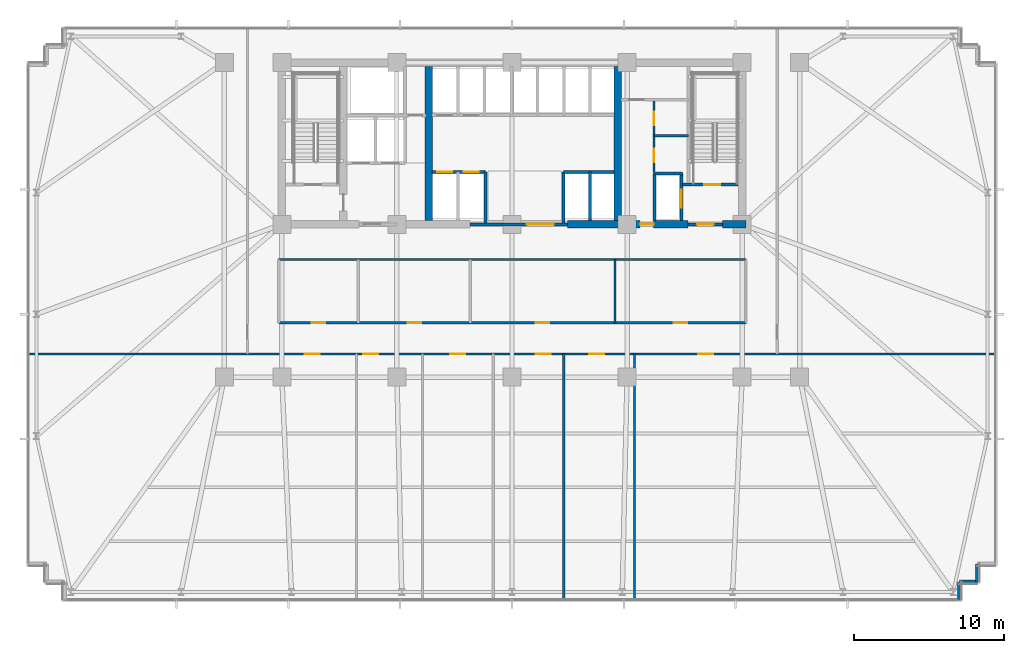
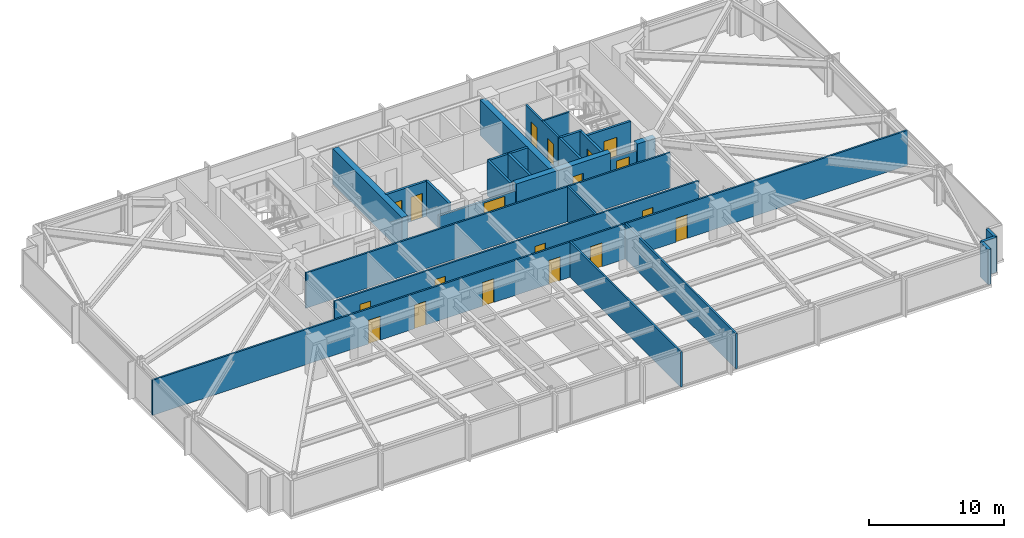
# One storey, part 25 of 33: 26 walls, 19 doors, 19 openings.
"""IFC4 building model written with IfcOpenShell, lengths in metres."""

from ifc_helpers import new_model, si_unit, direction, frame, frame_2d, origin, place, context, subcontext, project, spatial, rectangle, extrude, material, layer, layer_set, type_object, element, fill, save


model = new_model("IFC4")

# Units and contexts
model_context = context("Model", 3, precision=1e-05, world=origin(), true_north=direction((0.0, 1.0)))
body_context = subcontext(model_context, "Body", "Model", "MODEL_VIEW")
ifc_project = project(units=[si_unit("LENGTHUNIT", "METRE"), si_unit("AREAUNIT", "SQUARE_METRE"), si_unit("VOLUMEUNIT", "CUBIC_METRE"), si_unit("PLANEANGLEUNIT", "RADIAN"), si_unit("MASSUNIT", "GRAM", prefix="KILO")], contexts=[model_context])

# Site, building, storey
site_placement = place(None, origin())
site = spatial("IfcSite", under=ifc_project, at=site_placement, CompositionType="ELEMENT")
building_placement = place(site_placement, origin())
building = spatial("IfcBuilding", under=site, at=building_placement, Name="Yelkora Congress Tower", CompositionType="ELEMENT")
storey_placement = place(building_placement, frame((0.0, 0.0, 54.199951171875)))
storey = spatial("IfcBuildingStorey", under=building, at=storey_placement, Name="L13", CompositionType="ELEMENT", Elevation=54.199951171875)

# Wall, opening, door
ifc_material_1 = material(Name="Concrete C60/75", Category="concrete")
ifc_layer_1 = layer(ifc_material_1, 0.5)
ifc_layer_set_1 = layer_set([ifc_layer_1], Name="Concrete C60/75")
wall_type_1 = type_object("IfcWallType", Name="WALL-CORE-INT-500", PredefinedType="SHEAR", material=ifc_layer_set_1)
wall_1_placement = place(storey_placement, frame((42.10009765625, 35.39990234375, 0.0), z_axis=(0.0, 0.0, 1.0), x_axis=(1.0, 0.0, 0.0)))
wall_1 = element("IfcWall", 1, at=wall_1_placement, inside=storey, type_object=wall_type_1, Name="L13 Rear Core South-East Shear Wall A", PredefinedType="SHEAR", context=body_context, shape_type="SweptSolid", body=[
    extrude(rectangle(XDim=8.0498046875, YDim=0.5, at=frame_2d((4.02490234375, 0.0))), origin(), (0.0, 0.0, 1.0), 3.179931640625),
])
opening_1_placement = place(wall_1_placement, frame((4.85009765625, 0.0, 0.0)))
opening_1 = element("IfcOpeningElement", 2, at=opening_1_placement, cuts=wall_1, Name="Opening DR-090F6", PredefinedType="OPENING", context=body_context, shape_type="SweptSolid", body=[
    extrude(rectangle(XDim=0.89990234375, YDim=2.14990234375, at=frame_2d((0.449951171875, 1.074951171875))), frame((0.0, 0.260009765625, 0.0), z_axis=(0.0, -1.0, 0.0), x_axis=(1.0, 0.0, 0.0)), (0.0, 0.0, 1.0), 0.52001953125),
])
ifc_material_2 = material(Name="Painted steel riser fire door leaf", Category="steel")
door_type_1 = type_object("IfcDoorType", Name="DOOR-FD60-900", OperationType="NOTDEFINED", PredefinedType="DOOR", material=ifc_material_2)
door_1_placement = place(opening_1_placement, origin())
door_1 = element("IfcDoor", 3, at=door_1_placement, inside=storey, type_object=door_type_1, Name="L13 Core Washroom Lobby Door", OperationType="SINGLE_SWING_RIGHT", OverallHeight=2.14990234375, OverallWidth=0.89990234375, PredefinedType="DOOR", context=body_context, shape_type="SweptSolid", body=[
    extrude(rectangle(XDim=0.89990234375, YDim=2.14990234375, at=frame_2d((0.449951171875, 1.074951171875))), frame((0.0, 0.02490234375, 0.0), z_axis=(0.0, -1.0, 0.0), x_axis=(1.0, 0.0, 0.0)), (0.0, 0.0, 1.0), 0.050048828125),
])
fill(opening_1, door_1)

# Walls
wall_2_placement = place(storey_placement, frame((52.449951171875, 35.39990234375, 0.0), z_axis=(0.0, 0.0, 1.0), x_axis=(1.0, 0.0, 0.0)))
element("IfcWall", 4, at=wall_2_placement, inside=storey, type_object=wall_type_1, Name="L13 Rear Core South-East Shear Wall B", PredefinedType="SHEAR", context=body_context, shape_type="SweptSolid", body=[
    extrude(rectangle(XDim=1.56005859375, YDim=0.5, at=frame_2d((0.780029296875, 0.0))), origin(), (0.0, 0.0, 1.0), 3.179931640625),
])
for number, where, z_axis, x_axis, name in (
    (5, (32.85009765625, 35.64990234375, 0.0), (0.0, 0.0, 1.0), (0.0, 1.0, 0.0), "L13 Rear Core Cross Shear Wall C2"),
    (6, (45.449951171875, 35.64990234375, 0.0), (0.0, 0.0, 1.0), (0.0, 1.0, 0.0), "L13 Rear Core Cross Shear Wall C3"),
):
    element("IfcWall", number, at=place(storey_placement, frame(where, z_axis=z_axis, x_axis=x_axis)), inside=storey, type_object=wall_type_1, Name=name, PredefinedType="SHEAR", context=body_context, shape_type="SweptSolid", body=[
        extrude(rectangle(XDim=10.300048828125, YDim=0.5, at=frame_2d((5.14990234375, 0.0))), origin(), (0.0, 0.0, 1.0), 3.179931640625),
    ])
ifc_material_3 = material(Name="Concrete C40/50", Category="concrete")
ifc_layer_2 = layer(ifc_material_3, 0.239990234375)
ifc_layer_set_2 = layer_set([ifc_layer_2], Name="Concrete C40/50")
wall_type_2 = type_object("IfcWallType", Name="WALL-EXT-LIMESTONE-240", PredefinedType="SOLIDWALL", material=ifc_layer_set_2)
for number, where, z_axis, x_axis, name in (
    (7, (69.4599609375, 12.739990234375, 0.0), (0.0, 0.0, 1.0), (0.0, -1.0, 0.0), "L13 Serrated Corner Limestone Pier 17"),
    (8, (69.4599609375, 11.5400390625, 0.0), (0.0, 0.0, 1.0), (-1.0, 0.0, 0.0), "L13 Serrated Corner Limestone Pier 18"),
    (9, (68.260009765625, 11.5400390625, 0.0), (0.0, 0.0, 1.0), (0.0, -1.0, 0.0), "L13 Serrated Corner Limestone Pier 19"),
):
    element("IfcWall", number, at=place(storey_placement, frame(where, z_axis=z_axis, x_axis=x_axis)), inside=storey, type_object=wall_type_2, Name=name, PredefinedType="SOLIDWALL", context=body_context, shape_type="SweptSolid", body=[
        extrude(rectangle(XDim=1.199951171875, YDim=0.239990234375, at=frame_2d((0.60009765625, 0.0))), origin(), (0.0, 0.0, 1.0), 3.179931640625),
    ])
ifc_material_4 = material(Name="Acoustic metal-stud gypsum partition", Category="gypsum")
ifc_layer_3 = layer(ifc_material_4, 0.14990234375)
ifc_layer_set_3 = layer_set([ifc_layer_3], Name="Acoustic metal-stud gypsum partition")
wall_type_3 = type_object("IfcWallType", Name="WALL-INT-150-NR", PredefinedType="PARTITIONING", material=ifc_layer_set_3)
wall_3_placement = place(storey_placement, frame((47.8798828125, 41.320068359375, 0.0), z_axis=(0.0, 0.0, 1.0), x_axis=(1.0, 0.0, 0.0)))
element("IfcWall", 10, at=wall_3_placement, inside=storey, type_object=wall_type_3, Name="L13 Partition Wall 29", PredefinedType="PARTITIONING", context=body_context, shape_type="SweptSolid", body=[
    extrude(rectangle(XDim=2.300048828125, YDim=0.14990234375, at=frame_2d((1.14990234375, 0.0))), origin(), (0.0, 0.0, 1.0), 3.179931640625),
])

# Wall, openings, doors
wall_4_placement = place(storey_placement, frame((47.8798828125, 38.85009765625, 0.0), z_axis=(0.0, 0.0, 1.0), x_axis=(0.0, 1.0, 0.0)))
wall_4 = element("IfcWall", 11, at=wall_4_placement, inside=storey, type_object=wall_type_3, Name="L13 Partition Wall 30", PredefinedType="PARTITIONING", context=body_context, shape_type="SweptSolid", body=[
    extrude(rectangle(XDim=4.869873046875, YDim=0.14990234375, at=frame_2d((2.43505859375, 0.0))), origin(), (0.0, 0.0, 1.0), 3.179931640625),
])
opening_2_placement = place(wall_4_placement, frame((0.699951171875, 0.0, 0.0)))
opening_2 = element("IfcOpeningElement", 12, at=opening_2_placement, cuts=wall_4, Name="Opening DR-090N", PredefinedType="OPENING", context=body_context, shape_type="SweptSolid", body=[
    extrude(rectangle(XDim=0.89990234375, YDim=2.14990234375, at=frame_2d((0.449951171875, 1.074951171875))), frame((0.0, 0.0849609375, 0.0), z_axis=(0.0, -1.0, 0.0), x_axis=(1.0, 0.0, 0.0)), (0.0, 0.0, 1.0), 0.169921875),
])
opening_3_placement = place(wall_4_placement, frame((3.14990234375, 0.0, 0.0)))
opening_3 = element("IfcOpeningElement", 13, at=opening_3_placement, cuts=wall_4, Name="Opening DR-090N", PredefinedType="OPENING", context=body_context, shape_type="SweptSolid", body=[
    extrude(rectangle(XDim=0.89990234375, YDim=2.14990234375, at=frame_2d((0.449951171875, 1.074951171875))), frame((0.0, 0.0849609375, 0.0), z_axis=(0.0, -1.0, 0.0), x_axis=(1.0, 0.0, 0.0)), (0.0, 0.0, 1.0), 0.169921875),
])
ifc_material_5 = material(Name="Moisture-resistant laminate door leaf", Category="wood")
door_type_2 = type_object("IfcDoorType", Name="DOOR-INT-900", OperationType="NOTDEFINED", PredefinedType="DOOR", material=ifc_material_5)
door_2_placement = place(opening_2_placement, origin())
door_2 = element("IfcDoor", 14, at=door_2_placement, inside=storey, type_object=door_type_2, Name="L13 Male WC Door", OperationType="SINGLE_SWING_LEFT", OverallHeight=2.14990234375, OverallWidth=0.89990234375, PredefinedType="DOOR", context=body_context, shape_type="SweptSolid", body=[
    extrude(rectangle(XDim=0.89990234375, YDim=2.14990234375, at=frame_2d((0.449951171875, 1.074951171875))), frame((0.0, 0.02490234375, 0.0), z_axis=(0.0, -1.0, 0.0), x_axis=(1.0, 0.0, 0.0)), (0.0, 0.0, 1.0), 0.050048828125),
])
fill(opening_2, door_2)
door_3_placement = place(opening_3_placement, origin())
door_3 = element("IfcDoor", 15, at=door_3_placement, inside=storey, type_object=door_type_2, Name="L13 Female WC Door", OperationType="SINGLE_SWING_RIGHT", OverallHeight=2.14990234375, OverallWidth=0.89990234375, PredefinedType="DOOR", context=body_context, shape_type="SweptSolid", body=[
    extrude(rectangle(XDim=0.89990234375, YDim=2.14990234375, at=frame_2d((0.449951171875, 1.074951171875))), frame((0.0, 0.02490234375, 0.0), z_axis=(0.0, -1.0, 0.0), x_axis=(1.0, 0.0, 0.0)), (0.0, 0.0, 1.0), 0.050048828125),
])
fill(opening_3, door_3)

# Walls
for number, where, z_axis, x_axis, name in (
    (16, (41.862060546875, 10.280029296875, 0.0), (0.0, 0.0, 1.0), (0.0, 1.0, 0.0), "L13 Partition Wall 34"),
    (17, (46.580078125, 10.280029296875, 0.0), (0.0, 0.0, 1.0), (0.0, 1.0, 0.0), "L13 Partition Wall 35"),
):
    element("IfcWall", number, at=place(storey_placement, frame(where, z_axis=z_axis, x_axis=x_axis)), inside=storey, type_object=wall_type_3, Name=name, PredefinedType="PARTITIONING", context=body_context, shape_type="SweptSolid", body=[
        extrude(rectangle(XDim=16.489990234375, YDim=0.14990234375, at=frame_2d((8.2451171875, 0.0))), origin(), (0.0, 0.0, 1.0), 3.179931640625),
    ])

# Wall, openings, doors
wall_5_placement = place(storey_placement, frame((6.080078125, 26.75, 0.0), z_axis=(0.0, 0.0, 1.0), x_axis=(1.0, 0.0, 0.0)))
wall_5 = element("IfcWall", 18, at=wall_5_placement, inside=storey, type_object=wall_type_3, Name="L13 South Spine Wall", PredefinedType="PARTITIONING", context=body_context, shape_type="SweptSolid", body=[
    extrude(rectangle(XDim=64.639892578125, YDim=0.14990234375, at=frame_2d((32.31982421875, 0.0))), origin(), (0.0, 0.0, 1.0), 3.179931640625),
])
opening_4_placement = place(wall_5_placement, frame((18.478759765625, 0.0, 0.0)))
opening_4 = element("IfcOpeningElement", 19, at=opening_4_placement, cuts=wall_5, Name="Opening DR-100N", PredefinedType="OPENING", context=body_context, shape_type="SweptSolid", body=[
    extrude(rectangle(XDim=1.0, YDim=2.14990234375, at=frame_2d((0.5, 1.074951171875))), frame((0.0, 0.0849609375, 0.0), z_axis=(0.0, -1.0, 0.0), x_axis=(1.0, 0.0, 0.0)), (0.0, 0.0, 1.0), 0.169921875),
])
opening_5_placement = place(wall_5_placement, frame((22.39404296875, 0.0, 0.0)))
opening_5 = element("IfcOpeningElement", 20, at=opening_5_placement, cuts=wall_5, Name="Opening DR-100N", PredefinedType="OPENING", context=body_context, shape_type="SweptSolid", body=[
    extrude(rectangle(XDim=1.0, YDim=2.14990234375, at=frame_2d((0.5, 1.074951171875))), frame((0.0, 0.0849609375, 0.0), z_axis=(0.0, -1.0, 0.0), x_axis=(1.0, 0.0, 0.0)), (0.0, 0.0, 1.0), 0.169921875),
])
opening_6_placement = place(wall_5_placement, frame((28.2060546875, 0.0, 0.0)))
opening_6 = element("IfcOpeningElement", 21, at=opening_6_placement, cuts=wall_5, Name="Opening DR-100N", PredefinedType="OPENING", context=body_context, shape_type="SweptSolid", body=[
    extrude(rectangle(XDim=1.0, YDim=2.14990234375, at=frame_2d((0.5, 1.074951171875))), frame((0.0, 0.0849609375, 0.0), z_axis=(0.0, -1.0, 0.0), x_axis=(1.0, 0.0, 0.0)), (0.0, 0.0, 1.0), 0.169921875),
])
opening_7_placement = place(wall_5_placement, frame((33.891845703125, 0.0, 0.0)))
opening_7 = element("IfcOpeningElement", 22, at=opening_7_placement, cuts=wall_5, Name="Opening DR-100N", PredefinedType="OPENING", context=body_context, shape_type="SweptSolid", body=[
    extrude(rectangle(XDim=1.0, YDim=2.14990234375, at=frame_2d((0.5, 1.074951171875))), frame((0.0, 0.0849609375, 0.0), z_axis=(0.0, -1.0, 0.0), x_axis=(1.0, 0.0, 0.0)), (0.0, 0.0, 1.0), 0.169921875),
])
opening_8_placement = place(wall_5_placement, frame((37.46484375, 0.0, 0.0)))
opening_8 = element("IfcOpeningElement", 23, at=opening_8_placement, cuts=wall_5, Name="Opening DR-100N", PredefinedType="OPENING", context=body_context, shape_type="SweptSolid", body=[
    extrude(rectangle(XDim=1.0, YDim=2.14990234375, at=frame_2d((0.5, 1.074951171875))), frame((0.0, 0.0849609375, 0.0), z_axis=(0.0, -1.0, 0.0), x_axis=(1.0, 0.0, 0.0)), (0.0, 0.0, 1.0), 0.169921875),
])
opening_9_placement = place(wall_5_placement, frame((44.760009765625, 0.0, 0.0)))
opening_9 = element("IfcOpeningElement", 24, at=opening_9_placement, cuts=wall_5, Name="Opening DR-100N", PredefinedType="OPENING", context=body_context, shape_type="SweptSolid", body=[
    extrude(rectangle(XDim=1.0, YDim=2.14990234375, at=frame_2d((0.5, 1.074951171875))), frame((0.0, 0.0849609375, 0.0), z_axis=(0.0, -1.0, 0.0), x_axis=(1.0, 0.0, 0.0)), (0.0, 0.0, 1.0), 0.169921875),
])
ifc_material_6 = material(Name="Solid-core Anatolian oak veneer door", Category="wood")
door_type_3 = type_object("IfcDoorType", Name="DOOR-INT-1000", OperationType="NOTDEFINED", PredefinedType="DOOR", material=ifc_material_6)
door_4_placement = place(opening_4_placement, origin())
door_4 = element("IfcDoor", 25, at=door_4_placement, inside=storey, type_object=door_type_3, Name="L13 Catering Kitchenette Door", OperationType="SINGLE_SWING_LEFT", OverallHeight=2.14990234375, OverallWidth=1.0, PredefinedType="DOOR", context=body_context, shape_type="SweptSolid", body=[
    extrude(rectangle(XDim=1.0, YDim=2.14990234375, at=frame_2d((0.5, 1.074951171875))), frame((0.0, 0.02490234375, 0.0), z_axis=(0.0, -1.0, 0.0), x_axis=(1.0, 0.0, 0.0)), (0.0, 0.0, 1.0), 0.050048828125),
])
fill(opening_4, door_4)
door_5_placement = place(opening_5_placement, origin())
door_5 = element("IfcDoor", 26, at=door_5_placement, inside=storey, type_object=door_type_3, Name="L13 Catering Kitchenette Door", OperationType="SINGLE_SWING_RIGHT", OverallHeight=2.14990234375, OverallWidth=1.0, PredefinedType="DOOR", context=body_context, shape_type="SweptSolid", body=[
    extrude(rectangle(XDim=1.0, YDim=2.14990234375, at=frame_2d((0.5, 1.074951171875))), frame((0.0, 0.02490234375, 0.0), z_axis=(0.0, -1.0, 0.0), x_axis=(1.0, 0.0, 0.0)), (0.0, 0.0, 1.0), 0.050048828125),
])
fill(opening_5, door_5)
door_6_placement = place(opening_6_placement, origin())
door_6 = element("IfcDoor", 27, at=door_6_placement, inside=storey, type_object=door_type_3, Name="L13 Focus Office Door", OperationType="SINGLE_SWING_LEFT", OverallHeight=2.14990234375, OverallWidth=1.0, PredefinedType="DOOR", context=body_context, shape_type="SweptSolid", body=[
    extrude(rectangle(XDim=1.0, YDim=2.14990234375, at=frame_2d((0.5, 1.074951171875))), frame((0.0, 0.02490234375, 0.0), z_axis=(0.0, -1.0, 0.0), x_axis=(1.0, 0.0, 0.0)), (0.0, 0.0, 1.0), 0.050048828125),
])
fill(opening_6, door_6)
door_7_placement = place(opening_7_placement, origin())
door_7 = element("IfcDoor", 28, at=door_7_placement, inside=storey, type_object=door_type_3, Name="L13 Store IT Door", OperationType="SINGLE_SWING_RIGHT", OverallHeight=2.14990234375, OverallWidth=1.0, PredefinedType="DOOR", context=body_context, shape_type="SweptSolid", body=[
    extrude(rectangle(XDim=1.0, YDim=2.14990234375, at=frame_2d((0.5, 1.074951171875))), frame((0.0, 0.02490234375, 0.0), z_axis=(0.0, -1.0, 0.0), x_axis=(1.0, 0.0, 0.0)), (0.0, 0.0, 1.0), 0.050048828125),
])
fill(opening_7, door_7)
door_8_placement = place(opening_8_placement, origin())
door_8 = element("IfcDoor", 29, at=door_8_placement, inside=storey, type_object=door_type_3, Name="L13 Open-Plan Office Door", OperationType="SINGLE_SWING_LEFT", OverallHeight=2.14990234375, OverallWidth=1.0, PredefinedType="DOOR", context=body_context, shape_type="SweptSolid", body=[
    extrude(rectangle(XDim=1.0, YDim=2.14990234375, at=frame_2d((0.5, 1.074951171875))), frame((0.0, 0.02490234375, 0.0), z_axis=(0.0, -1.0, 0.0), x_axis=(1.0, 0.0, 0.0)), (0.0, 0.0, 1.0), 0.050048828125),
])
fill(opening_8, door_8)
door_9_placement = place(opening_9_placement, origin())
door_9 = element("IfcDoor", 30, at=door_9_placement, inside=storey, type_object=door_type_3, Name="L13 Open-Plan Office Door", OperationType="SINGLE_SWING_RIGHT", OverallHeight=2.14990234375, OverallWidth=1.0, PredefinedType="DOOR", context=body_context, shape_type="SweptSolid", body=[
    extrude(rectangle(XDim=1.0, YDim=2.14990234375, at=frame_2d((0.5, 1.074951171875))), frame((0.0, 0.02490234375, 0.0), z_axis=(0.0, -1.0, 0.0), x_axis=(1.0, 0.0, 0.0)), (0.0, 0.0, 1.0), 0.050048828125),
])
fill(opening_9, door_9)

# Walls
wall_6_placement = place(storey_placement, frame((22.830078125, 33.050048828125, 0.0), z_axis=(0.0, 0.0, 1.0), x_axis=(1.0, 0.0, 0.0)))
element("IfcWall", 31, at=wall_6_placement, inside=storey, type_object=wall_type_3, Name="L13 Partition Wall 41", PredefinedType="PARTITIONING", context=body_context, shape_type="SweptSolid", body=[
    extrude(rectangle(XDim=31.18994140625, YDim=0.14990234375, at=frame_2d((15.594970703125, 0.0))), origin(), (0.0, 0.0, 1.0), 3.179931640625),
])
wall_7_placement = place(storey_placement, frame((45.281982421875, 28.830078125, 0.0), z_axis=(0.0, 0.0, 1.0), x_axis=(0.0, 1.0, 0.0)))
element("IfcWall", 32, at=wall_7_placement, inside=storey, type_object=wall_type_3, Name="L13 Partition Wall 44", PredefinedType="PARTITIONING", context=body_context, shape_type="SweptSolid", body=[
    extrude(rectangle(XDim=4.219970703125, YDim=0.14990234375, at=frame_2d((2.10986328125, 0.0))), origin(), (0.0, 0.0, 1.0), 3.179931640625),
])

# Wall, openings, doors
wall_8_placement = place(storey_placement, frame((22.840087890625, 28.830078125, 0.0), z_axis=(0.0, 0.0, 1.0), x_axis=(1.0, 0.0, 0.0)))
wall_8 = element("IfcWall", 33, at=wall_8_placement, inside=storey, type_object=wall_type_3, Name="L13 Partition Wall 45", PredefinedType="PARTITIONING", context=body_context, shape_type="SweptSolid", body=[
    extrude(rectangle(XDim=31.169921875, YDim=0.14990234375, at=frame_2d((15.5849609375, 0.0))), origin(), (0.0, 0.0, 1.0), 3.179931640625),
])
opening_10_placement = place(wall_8_placement, frame((2.199462890625, 0.0, 0.0)))
opening_10 = element("IfcOpeningElement", 34, at=opening_10_placement, cuts=wall_8, Name="Opening DR-090N", PredefinedType="OPENING", context=body_context, shape_type="SweptSolid", body=[
    extrude(rectangle(XDim=0.89990234375, YDim=2.14990234375, at=frame_2d((0.449951171875, 1.074951171875))), frame((0.0, 0.0849609375, 0.0), z_axis=(0.0, -1.0, 0.0), x_axis=(1.0, 0.0, 0.0)), (0.0, 0.0, 1.0), 0.169921875),
])
opening_11_placement = place(wall_8_placement, frame((8.589599609375, 0.0, 0.0)))
opening_11 = element("IfcOpeningElement", 35, at=opening_11_placement, cuts=wall_8, Name="Opening DR-090N", PredefinedType="OPENING", context=body_context, shape_type="SweptSolid", body=[
    extrude(rectangle(XDim=0.89990234375, YDim=2.14990234375, at=frame_2d((0.449951171875, 1.074951171875))), frame((0.0, 0.0849609375, 0.0), z_axis=(0.0, -1.0, 0.0), x_axis=(1.0, 0.0, 0.0)), (0.0, 0.0, 1.0), 0.169921875),
])
opening_12_placement = place(wall_8_placement, frame((17.160888671875, 0.0, 0.0)))
opening_12 = element("IfcOpeningElement", 36, at=opening_12_placement, cuts=wall_8, Name="Opening DR-090N", PredefinedType="OPENING", context=body_context, shape_type="SweptSolid", body=[
    extrude(rectangle(XDim=0.89990234375, YDim=2.14990234375, at=frame_2d((0.449951171875, 1.074951171875))), frame((0.0, 0.0849609375, 0.0), z_axis=(0.0, -1.0, 0.0), x_axis=(1.0, 0.0, 0.0)), (0.0, 0.0, 1.0), 0.169921875),
])
opening_13_placement = place(wall_8_placement, frame((26.35595703125, 0.0, 0.0)))
opening_13 = element("IfcOpeningElement", 37, at=opening_13_placement, cuts=wall_8, Name="Opening DR-090N", PredefinedType="OPENING", context=body_context, shape_type="SweptSolid", body=[
    extrude(rectangle(XDim=0.89990234375, YDim=2.14990234375, at=frame_2d((0.449951171875, 1.074951171875))), frame((0.0, 0.0849609375, 0.0), z_axis=(0.0, -1.0, 0.0), x_axis=(1.0, 0.0, 0.0)), (0.0, 0.0, 1.0), 0.169921875),
])
door_10_placement = place(opening_10_placement, origin())
door_10 = element("IfcDoor", 38, at=door_10_placement, inside=storey, type_object=door_type_2, Name="L13 Fitness Yoga Studio Door", OperationType="SINGLE_SWING_LEFT", OverallHeight=2.14990234375, OverallWidth=0.89990234375, PredefinedType="DOOR", context=body_context, shape_type="SweptSolid", body=[
    extrude(rectangle(XDim=0.89990234375, YDim=2.14990234375, at=frame_2d((0.449951171875, 1.074951171875))), frame((0.0, 0.02490234375, 0.0), z_axis=(0.0, -1.0, 0.0), x_axis=(1.0, 0.0, 0.0)), (0.0, 0.0, 1.0), 0.050048828125),
])
fill(opening_10, door_10)
door_11_placement = place(opening_11_placement, origin())
door_11 = element("IfcDoor", 39, at=door_11_placement, inside=storey, type_object=door_type_2, Name="L13 Executive Library Door", OperationType="SINGLE_SWING_RIGHT", OverallHeight=2.14990234375, OverallWidth=0.89990234375, PredefinedType="DOOR", context=body_context, shape_type="SweptSolid", body=[
    extrude(rectangle(XDim=0.89990234375, YDim=2.14990234375, at=frame_2d((0.449951171875, 1.074951171875))), frame((0.0, 0.02490234375, 0.0), z_axis=(0.0, -1.0, 0.0), x_axis=(1.0, 0.0, 0.0)), (0.0, 0.0, 1.0), 0.050048828125),
])
fill(opening_11, door_11)
door_12_placement = place(opening_12_placement, origin())
door_12 = element("IfcDoor", 40, at=door_12_placement, inside=storey, type_object=door_type_2, Name="L13 Delegate Kiosk Door", OperationType="SINGLE_SWING_LEFT", OverallHeight=2.14990234375, OverallWidth=0.89990234375, PredefinedType="DOOR", context=body_context, shape_type="SweptSolid", body=[
    extrude(rectangle(XDim=0.89990234375, YDim=2.14990234375, at=frame_2d((0.449951171875, 1.074951171875))), frame((0.0, 0.02490234375, 0.0), z_axis=(0.0, -1.0, 0.0), x_axis=(1.0, 0.0, 0.0)), (0.0, 0.0, 1.0), 0.050048828125),
])
fill(opening_12, door_12)
door_13_placement = place(opening_13_placement, origin())
door_13 = element("IfcDoor", 41, at=door_13_placement, inside=storey, type_object=door_type_2, Name="L13 Fitness Yoga Studio Door", OperationType="SINGLE_SWING_RIGHT", OverallHeight=2.14990234375, OverallWidth=0.89990234375, PredefinedType="DOOR", context=body_context, shape_type="SweptSolid", body=[
    extrude(rectangle(XDim=0.89990234375, YDim=2.14990234375, at=frame_2d((0.449951171875, 1.074951171875))), frame((0.0, 0.02490234375, 0.0), z_axis=(0.0, -1.0, 0.0), x_axis=(1.0, 0.0, 0.0)), (0.0, 0.0, 1.0), 0.050048828125),
])
fill(opening_13, door_13)

# Wall, opening, door
ifc_material_7 = material(Name="Autoclaved aerated concrete blockwork", Category="masonry")
ifc_layer_4 = layer(ifc_material_7, 0.199951171875)
ifc_layer_set_4 = layer_set([ifc_layer_4], Name="Autoclaved aerated concrete blockwork")
wall_type_4 = type_object("IfcWallType", Name="WALL-INT-200-R120", PredefinedType="PARTITIONING", material=ifc_layer_set_4)
wall_9_placement = place(storey_placement, frame((35.60009765625, 35.39990234375, 0.0), z_axis=(0.0, 0.0, 1.0), x_axis=(1.0, 0.0, 0.0)))
wall_9 = element("IfcWall", 42, at=wall_9_placement, inside=storey, type_object=wall_type_4, Name="L13 Main Lift Lobby South Portal Wall", PredefinedType="PARTITIONING", context=body_context, shape_type="SweptSolid", body=[
    extrude(rectangle(XDim=6.5, YDim=0.199951171875, at=frame_2d((3.25, 0.0))), origin(), (0.0, 0.0, 1.0), 2.47509765625),
])
opening_14_placement = place(wall_9_placement, frame((3.800048828125, 0.0, 0.0)))
opening_14 = element("IfcOpeningElement", 43, at=opening_14_placement, cuts=wall_9, Name="Opening DR-180D", PredefinedType="OPENING", context=body_context, shape_type="SweptSolid", body=[
    extrude(rectangle(XDim=1.800048828125, YDim=2.300048828125, at=frame_2d((0.89990234375, 1.14990234375))), frame((0.0, 0.10986328125, 0.0), z_axis=(0.0, -1.0, 0.0), x_axis=(1.0, 0.0, 0.0)), (0.0, 0.0, 1.0), 0.219970703125),
])
ifc_material_8 = material(Name="Acoustic double congress hall doors", Category="wood")
door_type_4 = type_object("IfcDoorType", Name="DOOR-DBL-1800", OperationType="DOUBLE_DOOR_SINGLE_SWING", PredefinedType="DOOR", material=ifc_material_8)
door_14_placement = place(opening_14_placement, origin())
door_14 = element("IfcDoor", 44, at=door_14_placement, inside=storey, type_object=door_type_4, Name="L13 Main Lift Lobby Portal Door", OperationType="DOUBLE_DOOR_SINGLE_SWING", OverallHeight=2.300048828125, OverallWidth=1.800048828125, PredefinedType="DOOR", context=body_context, shape_type="SweptSolid", body=[
    extrude(rectangle(XDim=1.800048828125, YDim=2.300048828125, at=frame_2d((0.89990234375, 1.14990234375))), frame((0.0, 0.02490234375, 0.0), z_axis=(0.0, -1.0, 0.0), x_axis=(1.0, 0.0, 0.0)), (0.0, 0.0, 1.0), 0.050048828125),
])
fill(opening_14, door_14)

# Wall, openings, doors
wall_10_placement = place(storey_placement, frame((33.050048828125, 38.89990234375, 0.0), z_axis=(0.0, 0.0, 1.0), x_axis=(1.0, 0.0, 0.0)))
wall_10 = element("IfcWall", 45, at=wall_10_placement, inside=storey, type_object=wall_type_4, Name="L13 Partition Wall 11", PredefinedType="PARTITIONING", context=body_context, shape_type="SweptSolid", body=[
    extrude(rectangle(XDim=3.570068359375, YDim=0.199951171875, at=frame_2d((1.78515625, 0.0))), origin(), (0.0, 0.0, 1.0), 3.179931640625),
])
opening_15_placement = place(wall_10_placement, frame((0.375, 0.0, 0.0)))
opening_15 = element("IfcOpeningElement", 46, at=opening_15_placement, cuts=wall_10, Name="Opening LD-PS10", PredefinedType="OPENING", context=body_context, shape_type="SweptSolid", body=[
    extrude(rectangle(XDim=1.0, YDim=2.199951171875, at=frame_2d((0.5, 1.10009765625))), frame((0.0, 0.10986328125, 0.0), z_axis=(0.0, -1.0, 0.0), x_axis=(1.0, 0.0, 0.0)), (0.0, 0.0, 1.0), 0.219970703125),
])
opening_16_placement = place(wall_10_placement, frame((2.125, 0.0, 0.0)))
opening_16 = element("IfcOpeningElement", 47, at=opening_16_placement, cuts=wall_10, Name="Opening LD-PS10", PredefinedType="OPENING", context=body_context, shape_type="SweptSolid", body=[
    extrude(rectangle(XDim=1.0, YDim=2.199951171875, at=frame_2d((0.5, 1.10009765625))), frame((0.0, 0.10986328125, 0.0), z_axis=(0.0, -1.0, 0.0), x_axis=(1.0, 0.0, 0.0)), (0.0, 0.0, 1.0), 0.219970703125),
])
ifc_material_9 = material(Name="Champagne stainless steel landing door", Category="steel")
door_type_5 = type_object("IfcDoorType", Name="DOOR-LIFT-PAS-1000", OperationType="DOUBLE_DOOR_SLIDING", PredefinedType="DOOR", material=ifc_material_9)
door_15_placement = place(opening_15_placement, origin())
door_15 = element("IfcDoor", 48, at=door_15_placement, inside=storey, type_object=door_type_5, Name="Lift Landing Door LF-P1 L13", OperationType="DOUBLE_DOOR_SLIDING", OverallHeight=2.199951171875, OverallWidth=1.0, PredefinedType="DOOR", context=body_context, shape_type="SweptSolid", body=[
    extrude(rectangle(XDim=1.0, YDim=2.199951171875, at=frame_2d((0.5, 1.10009765625))), frame((0.0, 0.02490234375, 0.0), z_axis=(0.0, -1.0, 0.0), x_axis=(1.0, 0.0, 0.0)), (0.0, 0.0, 1.0), 0.050048828125),
])
fill(opening_15, door_15)
door_16_placement = place(opening_16_placement, origin())
door_16 = element("IfcDoor", 49, at=door_16_placement, inside=storey, type_object=door_type_5, Name="Lift Landing Door LF-P2 L13", OperationType="DOUBLE_DOOR_SLIDING", OverallHeight=2.199951171875, OverallWidth=1.0, PredefinedType="DOOR", context=body_context, shape_type="SweptSolid", body=[
    extrude(rectangle(XDim=1.0, YDim=2.199951171875, at=frame_2d((0.5, 1.10009765625))), frame((0.0, 0.02490234375, 0.0), z_axis=(0.0, -1.0, 0.0), x_axis=(1.0, 0.0, 0.0)), (0.0, 0.0, 1.0), 0.050048828125),
])
fill(opening_16, door_16)

# Walls
wall_11_placement = place(storey_placement, frame((36.6201171875, 35.5, 0.0), z_axis=(0.0, 0.0, 1.0), x_axis=(0.0, 1.0, 0.0)))
element("IfcWall", 50, at=wall_11_placement, inside=storey, type_object=wall_type_4, Name="L13 Partition Wall 15", PredefinedType="PARTITIONING", context=body_context, shape_type="SweptSolid", body=[
    extrude(rectangle(XDim=3.39990234375, YDim=0.199951171875, at=frame_2d((1.699951171875, 0.0))), origin(), (0.0, 0.0, 1.0), 3.179931640625),
])
wall_12_placement = place(storey_placement, frame((41.85009765625, 38.89990234375, 0.0), z_axis=(0.0, 0.0, 1.0), x_axis=(1.0, 0.0, 0.0)))
element("IfcWall", 51, at=wall_12_placement, inside=storey, type_object=wall_type_4, Name="L13 Partition Wall 17", PredefinedType="PARTITIONING", context=body_context, shape_type="SweptSolid", body=[
    extrude(rectangle(XDim=3.369873046875, YDim=0.199951171875, at=frame_2d((1.68505859375, 0.0))), origin(), (0.0, 0.0, 1.0), 3.179931640625),
])
wall_13_placement = place(storey_placement, frame((43.60009765625, 35.64990234375, 0.0), z_axis=(0.0, 0.0, 1.0), x_axis=(0.0, 1.0, 0.0)))
element("IfcWall", 52, at=wall_13_placement, inside=storey, type_object=wall_type_4, Name="L13 Partition Wall 19", PredefinedType="PARTITIONING", context=body_context, shape_type="SweptSolid", body=[
    extrude(rectangle(XDim=3.25, YDim=0.199951171875, at=frame_2d((1.625, 0.0))), origin(), (0.0, 0.0, 1.0), 3.179931640625),
])
wall_14_placement = place(storey_placement, frame((41.85009765625, 35.5, 0.0), z_axis=(0.0, 0.0, 1.0), x_axis=(0.0, 1.0, 0.0)))
element("IfcWall", 53, at=wall_14_placement, inside=storey, type_object=wall_type_4, Name="L13 Partition Wall 21", PredefinedType="PARTITIONING", context=body_context, shape_type="SweptSolid", body=[
    extrude(rectangle(XDim=3.39990234375, YDim=0.199951171875, at=frame_2d((1.699951171875, 0.0))), origin(), (0.0, 0.0, 1.0), 3.179931640625),
])

# Wall, opening, door
wall_15_placement = place(storey_placement, frame((49.780029296875, 38.050048828125, 0.0), z_axis=(0.0, 0.0, 1.0), x_axis=(1.0, 0.0, 0.0)))
wall_15 = element("IfcWall", 54, at=wall_15_placement, inside=storey, type_object=wall_type_4, Name="L13 Stair ST-02 Enclosure Wall", PredefinedType="PARTITIONING", context=body_context, shape_type="SweptSolid", body=[
    extrude(rectangle(XDim=3.719970703125, YDim=0.199951171875, at=frame_2d((1.85986328125, 0.0))), origin(), (0.0, 0.0, 1.0), 3.179931640625),
])
opening_17_placement = place(wall_15_placement, frame((1.436279296875, 0.0, 0.0)))
opening_17 = element("IfcOpeningElement", 55, at=opening_17_placement, cuts=wall_15, Name="Opening DR-110F9", PredefinedType="OPENING", context=body_context, shape_type="SweptSolid", body=[
    extrude(rectangle(XDim=1.10009765625, YDim=2.14990234375, at=frame_2d((0.550048828125, 1.074951171875))), frame((0.0, 0.10986328125, 0.0), z_axis=(0.0, -1.0, 0.0), x_axis=(1.0, 0.0, 0.0)), (0.0, 0.0, 1.0), 0.219970703125),
])
ifc_material_10 = material(Name="Galvanised steel fire door leaf", Category="steel")
door_type_6 = type_object("IfcDoorType", Name="DOOR-FD90-1100", OperationType="NOTDEFINED", PredefinedType="DOOR", material=ifc_material_10)
door_17_placement = place(opening_17_placement, origin())
door_17 = element("IfcDoor", 56, at=door_17_placement, inside=storey, type_object=door_type_6, Name="L13 Stair ST-02 Entry Door", OperationType="SINGLE_SWING_LEFT", OverallHeight=2.14990234375, OverallWidth=1.10009765625, PredefinedType="DOOR", context=body_context, shape_type="SweptSolid", body=[
    extrude(rectangle(XDim=1.10009765625, YDim=2.14990234375, at=frame_2d((0.550048828125, 1.074951171875))), frame((0.0, 0.02490234375, 0.0), z_axis=(0.0, -1.0, 0.0), x_axis=(1.0, 0.0, 0.0)), (0.0, 0.0, 1.0), 0.050048828125),
])
fill(opening_17, door_17)

wall_16_placement = place(storey_placement, frame((50.14990234375, 35.39990234375, 0.0), z_axis=(0.0, 0.0, 1.0), x_axis=(1.0, 0.0, 0.0)))
wall_16 = element("IfcWall", 57, at=wall_16_placement, inside=storey, type_object=wall_type_4, Name="L13 Partition Wall 24", PredefinedType="PARTITIONING", context=body_context, shape_type="SweptSolid", body=[
    extrude(rectangle(XDim=2.300048828125, YDim=0.199951171875, at=frame_2d((1.14990234375, 0.0))), origin(), (0.0, 0.0, 1.0), 2.47509765625),
])
opening_18_placement = place(wall_16_placement, frame((0.60009765625, 0.0, 0.0)))
opening_18 = element("IfcOpeningElement", 58, at=opening_18_placement, cuts=wall_16, Name="Opening DR-110F9", PredefinedType="OPENING", context=body_context, shape_type="SweptSolid", body=[
    extrude(rectangle(XDim=1.10009765625, YDim=2.14990234375, at=frame_2d((0.550048828125, 1.074951171875))), frame((0.0, 0.10986328125, 0.0), z_axis=(0.0, -1.0, 0.0), x_axis=(1.0, 0.0, 0.0)), (0.0, 0.0, 1.0), 0.219970703125),
])
door_18_placement = place(opening_18_placement, origin())
door_18 = element("IfcDoor", 59, at=door_18_placement, inside=storey, type_object=door_type_6, Name="L13 East Stair Lobby Door", OperationType="SINGLE_SWING_RIGHT", OverallHeight=2.14990234375, OverallWidth=1.10009765625, PredefinedType="DOOR", context=body_context, shape_type="SweptSolid", body=[
    extrude(rectangle(XDim=1.10009765625, YDim=2.14990234375, at=frame_2d((0.550048828125, 1.074951171875))), frame((0.0, 0.02490234375, 0.0), z_axis=(0.0, -1.0, 0.0), x_axis=(1.0, 0.0, 0.0)), (0.0, 0.0, 1.0), 0.050048828125),
])
fill(opening_18, door_18)

wall_17_placement = place(storey_placement, frame((49.699951171875, 35.64990234375, 0.0), z_axis=(0.0, 0.0, 1.0), x_axis=(0.0, 1.0, 0.0)))
wall_17 = element("IfcWall", 60, at=wall_17_placement, inside=storey, type_object=wall_type_4, Name="L13 Partition Wall 25", PredefinedType="PARTITIONING", context=body_context, shape_type="SweptSolid", body=[
    extrude(rectangle(XDim=3.150146484375, YDim=0.199951171875, at=frame_2d((1.5751953125, 0.0))), origin(), (0.0, 0.0, 1.0), 3.179931640625),
])
opening_19_placement = place(wall_17_placement, frame((0.85009765625, 0.0, 0.0)))
opening_19 = element("IfcOpeningElement", 61, at=opening_19_placement, cuts=wall_17, Name="Opening LD-SV12", PredefinedType="OPENING", context=body_context, shape_type="SweptSolid", body=[
    extrude(rectangle(XDim=1.199951171875, YDim=2.199951171875, at=frame_2d((0.60009765625, 1.10009765625))), frame((0.0, 0.10986328125, 0.0), z_axis=(0.0, -1.0, 0.0), x_axis=(1.0, 0.0, 0.0)), (0.0, 0.0, 1.0), 0.219970703125),
])
ifc_material_11 = material(Name="Heavy-duty stainless steel landing door", Category="steel")
door_type_7 = type_object("IfcDoorType", Name="DOOR-LIFT-SRV-1200", OperationType="DOUBLE_DOOR_SLIDING", PredefinedType="DOOR", material=ifc_material_11)
door_19_placement = place(opening_19_placement, origin())
door_19 = element("IfcDoor", 62, at=door_19_placement, inside=storey, type_object=door_type_7, Name="Service Lift Landing Door LF-SV1 L13", OperationType="DOUBLE_DOOR_SLIDING", OverallHeight=2.199951171875, OverallWidth=1.199951171875, PredefinedType="DOOR", context=body_context, shape_type="SweptSolid", body=[
    extrude(rectangle(XDim=1.199951171875, YDim=2.199951171875, at=frame_2d((0.60009765625, 1.10009765625))), frame((0.0, 0.02490234375, 0.0), z_axis=(0.0, -1.0, 0.0), x_axis=(1.0, 0.0, 0.0)), (0.0, 0.0, 1.0), 0.050048828125),
])
fill(opening_19, door_19)

# Walls
wall_18_placement = place(storey_placement, frame((47.919921875, 35.64990234375, 0.0), z_axis=(0.0, 0.0, 1.0), x_axis=(0.0, 1.0, 0.0)))
element("IfcWall", 63, at=wall_18_placement, inside=storey, type_object=wall_type_4, Name="L13 Partition Wall 26", PredefinedType="PARTITIONING", context=body_context, shape_type="SweptSolid", body=[
    extrude(rectangle(XDim=3.150146484375, YDim=0.199951171875, at=frame_2d((1.5751953125, 0.0))), origin(), (0.0, 0.0, 1.0), 3.179931640625),
])
wall_19_placement = place(storey_placement, frame((47.919921875, 38.800048828125, 0.0), z_axis=(0.0, 0.0, 1.0), x_axis=(1.0, 0.0, 0.0)))
element("IfcWall", 64, at=wall_19_placement, inside=storey, type_object=wall_type_4, Name="L13 Partition Wall 27", PredefinedType="PARTITIONING", context=body_context, shape_type="SweptSolid", body=[
    extrude(rectangle(XDim=1.860107421875, YDim=0.199951171875, at=frame_2d((0.93017578125, 0.0))), origin(), (0.0, 0.0, 1.0), 3.179931640625),
])

save(model, "model.ifc")
